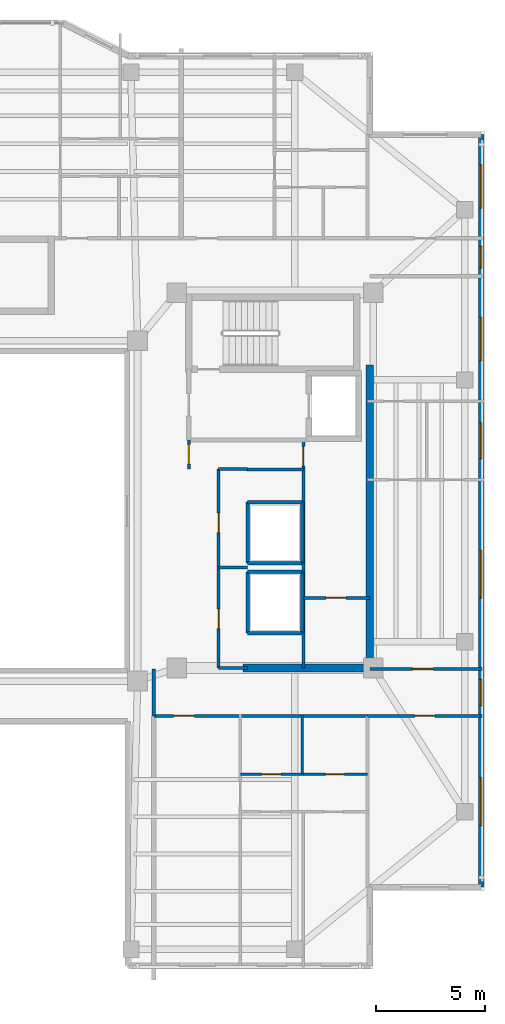
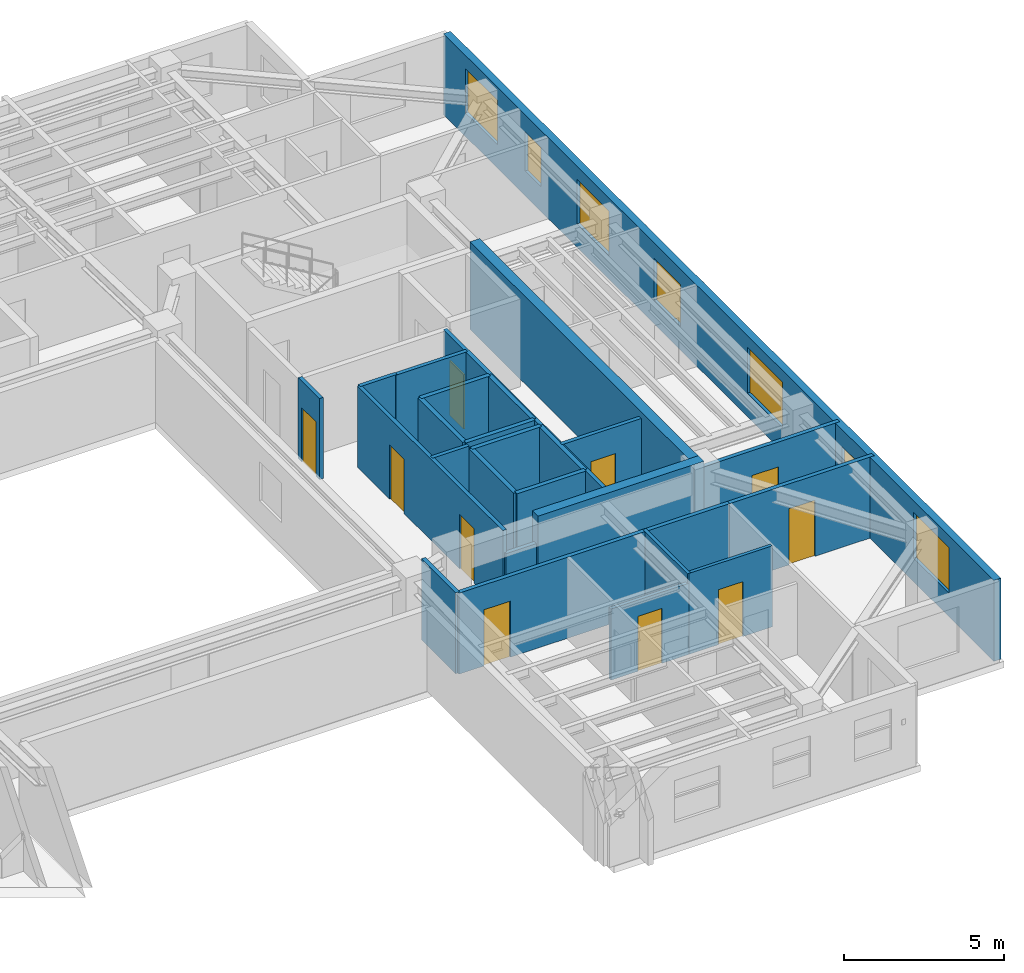
# One storey, part 6 of 12: 26 walls, 10 doors, 7 windows, 17 openings.
"""IFC4 building model written with IfcOpenShell, lengths in metres."""

from ifc_helpers import new_model, si_unit, direction, frame, frame_2d, origin, place, context, subcontext, project, spatial, rectangle, extrude, material, layer, layer_set, type_object, element, fill, save


model = new_model("IFC4")

# Units and contexts
model_context = context("Model", 3, precision=1e-05, world=origin(), true_north=direction((0.0, 1.0)))
body_context = subcontext(model_context, "Body", "Model", "MODEL_VIEW")
ifc_project = project(units=[si_unit("LENGTHUNIT", "METRE"), si_unit("AREAUNIT", "SQUARE_METRE"), si_unit("VOLUMEUNIT", "CUBIC_METRE"), si_unit("PLANEANGLEUNIT", "RADIAN"), si_unit("MASSUNIT", "GRAM", prefix="KILO")], contexts=[model_context])

# Site, building, storey
site_placement = place(None, origin())
site = spatial("IfcSite", under=ifc_project, at=site_placement, CompositionType="ELEMENT")
building_placement = place(site_placement, origin())
building = spatial("IfcBuilding", under=site, at=building_placement, Name="Tarnavaz Court Tower", CompositionType="ELEMENT")
storey_placement = place(building_placement, frame((0.0, 0.0, 203.64990234375)))
storey = spatial("IfcBuildingStorey", under=building, at=storey_placement, Name="L55", CompositionType="ELEMENT", Elevation=203.64990234375)

# Walls
ifc_material_1 = material(Name="Concrete C50/60", Category="concrete")
ifc_layer_1 = layer(ifc_material_1, 0.35009765625)
ifc_layer_set_1 = layer_set([ifc_layer_1], Name="Concrete C50/60")
wall_type_1 = type_object("IfcWallType", Name="WL-CORE-350-C50", PredefinedType="SHEAR", material=ifc_layer_set_1)
wall_1_placement = place(storey_placement, frame((18.449951171875, -7.375, 0.0), z_axis=(0.0, 0.0, 1.0), x_axis=(0.0, 1.0, 0.0)))
element("IfcWall", 1, at=wall_1_placement, inside=storey, type_object=wall_type_1, Name="L55 East Core Shear Wall 047", PredefinedType="SHEAR", context=body_context, shape_type="SweptSolid", body=[
    extrude(rectangle(XDim=14.050048828125, YDim=0.35009765625, at=frame_2d((7.02490234375, 0.0))), origin(), (0.0, 0.0, 1.0), 3.35009765625),
])
wall_2_placement = place(storey_placement, frame((12.625, -7.199951171875, 0.0), z_axis=(0.0, 0.0, 1.0), x_axis=(1.0, 0.0, 0.0)))
element("IfcWall", 2, at=wall_2_placement, inside=storey, type_object=wall_type_1, Name="L55 East Core South Shear Wall 048", PredefinedType="SHEAR", context=body_context, shape_type="SweptSolid", body=[
    extrude(rectangle(XDim=6.0, YDim=0.35009765625, at=frame_2d((3.0, 0.0))), origin(), (0.0, 0.0, 1.0), 3.35009765625),
])

# Wall, openings, windows
ifc_material_2 = material(Name="Precast Concrete C40/50", Category="concrete")
ifc_layer_2 = layer(ifc_material_2, 0.260009765625)
ifc_layer_set_2 = layer_set([ifc_layer_2], Name="Precast Concrete C40/50")
wall_type_2 = type_object("IfcWallType", Name="WL-EXT-260", PredefinedType="SOLIDWALL", material=ifc_layer_set_2)
wall_3_placement = place(storey_placement, frame((23.550048828125, 17.25, 0.0), z_axis=(0.0, 0.0, 1.0), x_axis=(0.0, -1.0, 0.0)))
wall_3 = element("IfcWall", 3, at=wall_3_placement, inside=storey, type_object=wall_type_2, Name="L55 Exterior Terracotta Facade Wall 12", PredefinedType="SOLIDWALL", context=body_context, shape_type="SweptSolid", body=[
    extrude(rectangle(XDim=34.5, YDim=0.260009765625, at=frame_2d((17.25, 0.0))), origin(), (0.0, 0.0, 1.0), 3.10009765625),
])
opening_1_placement = place(wall_3_placement, frame((1.375, 0.0, 0.89990234375)))
opening_1 = element("IfcOpeningElement", 4, at=opening_1_placement, cuts=wall_3, Name="Opening W08", PredefinedType="OPENING", context=body_context, shape_type="SweptSolid", body=[
    extrude(rectangle(XDim=2.0, YDim=1.699951171875, at=frame_2d((1.0, 0.85009765625))), frame((0.0, 0.139892578125, 0.0), z_axis=(0.0, -1.0, 0.0), x_axis=(1.0, 0.0, 0.0)), (0.0, 0.0, 1.0), 0.280029296875),
])
opening_2_placement = place(wall_3_placement, frame((5.125, 0.0, 0.949951171875)))
opening_2 = element("IfcOpeningElement", 5, at=opening_2_placement, cuts=wall_3, Name="Opening W14", PredefinedType="OPENING", context=body_context, shape_type="SweptSolid", body=[
    extrude(rectangle(XDim=1.0, YDim=1.5, at=frame_2d((0.5, 0.75))), frame((0.0, 0.139892578125, 0.0), z_axis=(0.0, -1.0, 0.0), x_axis=(1.0, 0.0, 0.0)), (0.0, 0.0, 1.0), 0.280029296875),
])
opening_3_placement = place(wall_3_placement, frame((8.375, 0.0, 0.89990234375)))
opening_3 = element("IfcOpeningElement", 6, at=opening_3_placement, cuts=wall_3, Name="Opening W08", PredefinedType="OPENING", context=body_context, shape_type="SweptSolid", body=[
    extrude(rectangle(XDim=2.0, YDim=1.699951171875, at=frame_2d((1.0, 0.85009765625))), frame((0.0, 0.139892578125, 0.0), z_axis=(0.0, -1.0, 0.0), x_axis=(1.0, 0.0, 0.0)), (0.0, 0.0, 1.0), 0.280029296875),
])
opening_4_placement = place(wall_3_placement, frame((13.199951171875, 0.0, 0.89990234375)))
opening_4 = element("IfcOpeningElement", 7, at=opening_4_placement, cuts=wall_3, Name="Opening W02", PredefinedType="OPENING", context=body_context, shape_type="SweptSolid", body=[
    extrude(rectangle(XDim=1.64990234375, YDim=1.60009765625, at=frame_2d((0.824951171875, 0.800048828125))), frame((0.0, 0.139892578125, 0.0), z_axis=(0.0, -1.0, 0.0), x_axis=(1.0, 0.0, 0.0)), (0.0, 0.0, 1.0), 0.280029296875),
])
opening_5_placement = place(wall_3_placement, frame((19.050048828125, 0.0, 0.89990234375)))
opening_5 = element("IfcOpeningElement", 8, at=opening_5_placement, cuts=wall_3, Name="Opening W07", PredefinedType="OPENING", context=body_context, shape_type="SweptSolid", body=[
    extrude(rectangle(XDim=2.199951171875, YDim=1.75, at=frame_2d((1.10009765625, 0.875))), frame((0.0, 0.139892578125, 0.0), z_axis=(0.0, -1.0, 0.0), x_axis=(1.0, 0.0, 0.0)), (0.0, 0.0, 1.0), 0.280029296875),
])
opening_6_placement = place(wall_3_placement, frame((24.97509765625, 0.0, 0.949951171875)))
opening_6 = element("IfcOpeningElement", 9, at=opening_6_placement, cuts=wall_3, Name="Opening W05", PredefinedType="OPENING", context=body_context, shape_type="SweptSolid", body=[
    extrude(rectangle(XDim=1.199951171875, YDim=1.5, at=frame_2d((0.60009765625, 0.75))), frame((0.0, 0.139892578125, 0.0), z_axis=(0.0, -1.0, 0.0), x_axis=(1.0, 0.0, 0.0)), (0.0, 0.0, 1.0), 0.280029296875),
])
opening_7_placement = place(wall_3_placement, frame((29.47509765625, 0.0, 0.89990234375)))
opening_7 = element("IfcOpeningElement", 10, at=opening_7_placement, cuts=wall_3, Name="Opening W07", PredefinedType="OPENING", context=body_context, shape_type="SweptSolid", body=[
    extrude(rectangle(XDim=2.199951171875, YDim=1.75, at=frame_2d((1.10009765625, 0.875))), frame((0.0, 0.139892578125, 0.0), z_axis=(0.0, -1.0, 0.0), x_axis=(1.0, 0.0, 0.0)), (0.0, 0.0, 1.0), 0.280029296875),
])
ifc_material_3 = material(Name="Double-Glazed Solar Low-E Glass", Category="glass")
window_type_1 = type_object("IfcWindowType", Name="WN-APT-1000", PartitioningType="SINGLE_PANEL", PredefinedType="WINDOW", material=ifc_material_3)
window_1_placement = place(opening_2_placement, origin())
window_1 = element("IfcWindow", 11, at=window_1_placement, inside=storey, type_object=window_type_1, Name="L55 North-East Corner Corridor Window", OverallHeight=1.5, OverallWidth=1.0, PartitioningType="SINGLE_PANEL", PredefinedType="WINDOW", context=body_context, shape_type="SweptSolid", body=[
    extrude(rectangle(XDim=1.0, YDim=1.5, at=frame_2d((0.5, 0.75))), frame((0.0, 0.030029296875, 0.0), z_axis=(0.0, -1.0, 0.0), x_axis=(1.0, 0.0, 0.0)), (0.0, 0.0, 1.0), 0.06005859375),
])
fill(opening_2, window_1)
window_type_2 = type_object("IfcWindowType", Name="WN-APT-1200", PartitioningType="SINGLE_PANEL", PredefinedType="WINDOW", material=ifc_material_3)
window_2_placement = place(opening_6_placement, origin())
window_2 = element("IfcWindow", 12, at=window_2_placement, inside=storey, type_object=window_type_2, Name="L55 South-East Corner Corridor Window", OverallHeight=1.5, OverallWidth=1.199951171875, PartitioningType="SINGLE_PANEL", PredefinedType="WINDOW", context=body_context, shape_type="SweptSolid", body=[
    extrude(rectangle(XDim=1.199951171875, YDim=1.5, at=frame_2d((0.60009765625, 0.75))), frame((0.0, 0.030029296875, 0.0), z_axis=(0.0, -1.0, 0.0), x_axis=(1.0, 0.0, 0.0)), (0.0, 0.0, 1.0), 0.06005859375),
])
fill(opening_6, window_2)
window_type_3 = type_object("IfcWindowType", Name="WN-APT-1650", PartitioningType="DOUBLE_PANEL_VERTICAL", PredefinedType="WINDOW", material=ifc_material_3)
window_3_placement = place(opening_4_placement, origin())
window_3 = element("IfcWindow", 13, at=window_3_placement, inside=storey, type_object=window_type_3, Name="L55 Flat 08 Bathroom Window", OverallHeight=1.60009765625, OverallWidth=1.64990234375, PartitioningType="SINGLE_PANEL", PredefinedType="WINDOW", context=body_context, shape_type="SweptSolid", body=[
    extrude(rectangle(XDim=1.64990234375, YDim=1.60009765625, at=frame_2d((0.824951171875, 0.800048828125))), frame((0.0, 0.030029296875, 0.0), z_axis=(0.0, -1.0, 0.0), x_axis=(1.0, 0.0, 0.0)), (0.0, 0.0, 1.0), 0.06005859375),
])
fill(opening_4, window_3)
window_type_4 = type_object("IfcWindowType", Name="WN-APT-2000", PartitioningType="DOUBLE_PANEL_VERTICAL", PredefinedType="WINDOW", material=ifc_material_3)
window_4_placement = place(opening_1_placement, origin())
window_4 = element("IfcWindow", 14, at=window_4_placement, inside=storey, type_object=window_type_4, Name="L55 North-East Corner Sunroom Study Window", OverallHeight=1.699951171875, OverallWidth=2.0, PartitioningType="SINGLE_PANEL", PredefinedType="WINDOW", context=body_context, shape_type="SweptSolid", body=[
    extrude(rectangle(XDim=2.0, YDim=1.699951171875, at=frame_2d((1.0, 0.85009765625))), frame((0.0, 0.030029296875, 0.0), z_axis=(0.0, -1.0, 0.0), x_axis=(1.0, 0.0, 0.0)), (0.0, 0.0, 1.0), 0.06005859375),
])
fill(opening_1, window_4)
window_5_placement = place(opening_3_placement, origin())
window_5 = element("IfcWindow", 15, at=window_5_placement, inside=storey, type_object=window_type_4, Name="L55 Flat 08 Study Room Window", OverallHeight=1.699951171875, OverallWidth=2.0, PartitioningType="SINGLE_PANEL", PredefinedType="WINDOW", context=body_context, shape_type="SweptSolid", body=[
    extrude(rectangle(XDim=2.0, YDim=1.699951171875, at=frame_2d((1.0, 0.85009765625))), frame((0.0, 0.030029296875, 0.0), z_axis=(0.0, -1.0, 0.0), x_axis=(1.0, 0.0, 0.0)), (0.0, 0.0, 1.0), 0.06005859375),
])
fill(opening_3, window_5)
window_type_5 = type_object("IfcWindowType", Name="WN-APT-2200", PartitioningType="TRIPLE_PANEL_VERTICAL", PredefinedType="WINDOW", material=ifc_material_3)
window_6_placement = place(opening_5_placement, origin())
window_6 = element("IfcWindow", 16, at=window_6_placement, inside=storey, type_object=window_type_5, Name="L55 Flat 08 Studio Living and Sleeping Room Window", OverallHeight=1.75, OverallWidth=2.199951171875, PartitioningType="SINGLE_PANEL", PredefinedType="WINDOW", context=body_context, shape_type="SweptSolid", body=[
    extrude(rectangle(XDim=2.199951171875, YDim=1.75, at=frame_2d((1.10009765625, 0.875))), frame((0.0, 0.030029296875, 0.0), z_axis=(0.0, -1.0, 0.0), x_axis=(1.0, 0.0, 0.0)), (0.0, 0.0, 1.0), 0.06005859375),
])
fill(opening_5, window_6)
window_7_placement = place(opening_7_placement, origin())
window_7 = element("IfcWindow", 17, at=window_7_placement, inside=storey, type_object=window_type_5, Name="L55 South-East Corner Reading Room Window", OverallHeight=1.75, OverallWidth=2.199951171875, PartitioningType="SINGLE_PANEL", PredefinedType="WINDOW", context=body_context, shape_type="SweptSolid", body=[
    extrude(rectangle(XDim=2.199951171875, YDim=1.75, at=frame_2d((1.10009765625, 0.875))), frame((0.0, 0.030029296875, 0.0), z_axis=(0.0, -1.0, 0.0), x_axis=(1.0, 0.0, 0.0)), (0.0, 0.0, 1.0), 0.06005859375),
])
fill(opening_7, window_7)

# Wall, opening, door
ifc_material_4 = material(Name="Gypsum Fire-Board on Acoustic Metal Stud", Category="masonry")
ifc_layer_3 = layer(ifc_material_4, 0.14990234375)
ifc_layer_set_3 = layer_set([ifc_layer_3], Name="Gypsum Fire-Board on Acoustic Metal Stud")
wall_type_3 = type_object("IfcWallType", Name="WL-FIRE-150", PredefinedType="PARTITIONING", material=ifc_layer_set_3)
wall_4_placement = place(storey_placement, frame((8.550048828125, -9.39990234375, 0.0), z_axis=(0.0, 0.0, 1.0), x_axis=(1.0, 0.0, 0.0)))
wall_4 = element("IfcWall", 18, at=wall_4_placement, inside=storey, type_object=wall_type_3, Name="L55 SE Lobby Wall 061", PredefinedType="PARTITIONING", context=body_context, shape_type="SweptSolid", body=[
    extrude(rectangle(XDim=9.800048828125, YDim=0.14990234375, at=frame_2d((4.89990234375, 0.0))), origin(), (0.0, 0.0, 1.0), 3.10009765625),
])
opening_8_placement = place(wall_4_placement, frame((0.89990234375, 0.0, 0.0)))
opening_8 = element("IfcOpeningElement", 19, at=opening_8_placement, cuts=wall_4, Name="Opening D06", PredefinedType="OPENING", context=body_context, shape_type="SweptSolid", body=[
    extrude(rectangle(XDim=0.9599609375, YDim=2.14990234375, at=frame_2d((0.47998046875, 1.074951171875))), frame((0.0, 0.0849609375, 0.0), z_axis=(0.0, -1.0, 0.0), x_axis=(1.0, 0.0, 0.0)), (0.0, 0.0, 1.0), 0.169921875),
])
ifc_material_5 = material(Name="Fire-Rated Hardwood Timber Core", Category="wood")
door_type_1 = type_object("IfcDoorType", Name="DR-FD60-950", OperationType="NOTDEFINED", PredefinedType="DOOR", material=ifc_material_5)
door_1_placement = place(opening_8_placement, origin())
door_1 = element("IfcDoor", 20, at=door_1_placement, inside=storey, type_object=door_type_1, Name="L55 Flat 06 Entrance Door", OperationType="SINGLE_SWING_RIGHT", OverallHeight=2.14990234375, OverallWidth=0.9599609375, PredefinedType="DOOR", context=body_context, shape_type="SweptSolid", body=[
    extrude(rectangle(XDim=0.9599609375, YDim=2.14990234375, at=frame_2d((0.47998046875, 1.074951171875))), frame((0.0, 0.02490234375, 0.0), z_axis=(0.0, -1.0, 0.0), x_axis=(1.0, 0.0, 0.0)), (0.0, 0.0, 1.0), 0.050048828125),
])
fill(opening_8, door_1)

# Wall
wall_5_placement = place(storey_placement, frame((8.550048828125, -9.39990234375, 0.0), z_axis=(0.0, 0.0, 1.0), x_axis=(0.0, 1.0, 0.0)))
element("IfcWall", 21, at=wall_5_placement, inside=storey, type_object=wall_type_3, Name="L55 East Spine End Wall 063", PredefinedType="PARTITIONING", context=body_context, shape_type="SweptSolid", body=[
    extrude(rectangle(XDim=2.14990234375, YDim=0.14990234375, at=frame_2d((1.074951171875, 0.0))), origin(), (0.0, 0.0, 1.0), 3.10009765625),
])

# Wall, opening, door
wall_6_placement = place(storey_placement, frame((18.449951171875, -7.25, 0.0), z_axis=(0.0, 0.0, 1.0), x_axis=(1.0, 0.0, 0.0)))
wall_6 = element("IfcWall", 22, at=wall_6_placement, inside=storey, type_object=wall_type_3, Name="L55 Interior Partition 105", PredefinedType="PARTITIONING", context=body_context, shape_type="SweptSolid", body=[
    extrude(rectangle(XDim=5.130126953125, YDim=0.14990234375, at=frame_2d((2.56494140625, 0.0))), origin(), (0.0, 0.0, 1.0), 3.10009765625),
])
opening_9_placement = place(wall_6_placement, frame((1.949951171875, 0.0, 0.0)))
opening_9 = element("IfcOpeningElement", 23, at=opening_9_placement, cuts=wall_6, Name="Opening D06", PredefinedType="OPENING", context=body_context, shape_type="SweptSolid", body=[
    extrude(rectangle(XDim=0.9599609375, YDim=2.14990234375, at=frame_2d((0.47998046875, 1.074951171875))), frame((0.0, 0.0849609375, 0.0), z_axis=(0.0, -1.0, 0.0), x_axis=(1.0, 0.0, 0.0)), (0.0, 0.0, 1.0), 0.169921875),
])
door_2_placement = place(opening_9_placement, origin())
door_2 = element("IfcDoor", 24, at=door_2_placement, inside=storey, type_object=door_type_1, Name="L55 Flat 08 Entrance Door", OperationType="SINGLE_SWING_RIGHT", OverallHeight=2.14990234375, OverallWidth=0.9599609375, PredefinedType="DOOR", context=body_context, shape_type="SweptSolid", body=[
    extrude(rectangle(XDim=0.9599609375, YDim=2.14990234375, at=frame_2d((0.47998046875, 1.074951171875))), frame((0.0, 0.02490234375, 0.0), z_axis=(0.0, -1.0, 0.0), x_axis=(1.0, 0.0, 0.0)), (0.0, 0.0, 1.0), 0.050048828125),
])
fill(opening_9, door_2)

wall_7_placement = place(storey_placement, frame((18.35009765625, -9.39990234375, 0.0), z_axis=(0.0, 0.0, 1.0), x_axis=(1.0, 0.0, 0.0)))
wall_7 = element("IfcWall", 25, at=wall_7_placement, inside=storey, type_object=wall_type_3, Name="L55 Interior Partition 114", PredefinedType="PARTITIONING", context=body_context, shape_type="SweptSolid", body=[
    extrude(rectangle(XDim=5.22998046875, YDim=0.14990234375, at=frame_2d((2.614990234375, 0.0))), origin(), (0.0, 0.0, 1.0), 3.10009765625),
])
opening_10_placement = place(wall_7_placement, frame((2.139892578125, 0.0, 0.0)))
opening_10 = element("IfcOpeningElement", 26, at=opening_10_placement, cuts=wall_7, Name="Opening D13", PredefinedType="OPENING", context=body_context, shape_type="SweptSolid", body=[
    extrude(rectangle(XDim=0.949951171875, YDim=2.14990234375, at=frame_2d((0.47509765625, 1.074951171875))), frame((0.0, 0.0849609375, 0.0), z_axis=(0.0, -1.0, 0.0), x_axis=(1.0, 0.0, 0.0)), (0.0, 0.0, 1.0), 0.169921875),
])
ifc_material_6 = material(Name="Engineered Oak Timber", Category="wood")
door_type_2 = type_object("IfcDoorType", Name="DR-INT-950", OperationType="NOTDEFINED", PredefinedType="DOOR", material=ifc_material_6)
door_3_placement = place(opening_10_placement, origin())
door_3 = element("IfcDoor", 27, at=door_3_placement, inside=storey, type_object=door_type_2, Name="L55 SE Reading Room Door", OperationType="SINGLE_SWING_LEFT", OverallHeight=2.14990234375, OverallWidth=0.949951171875, PredefinedType="DOOR", context=body_context, shape_type="SweptSolid", body=[
    extrude(rectangle(XDim=0.949951171875, YDim=2.14990234375, at=frame_2d((0.47509765625, 1.074951171875))), frame((0.0, 0.02490234375, 0.0), z_axis=(0.0, -1.0, 0.0), x_axis=(1.0, 0.0, 0.0)), (0.0, 0.0, 1.0), 0.050048828125),
])
fill(opening_10, door_3)

ifc_material_7 = material(Name="Moisture-Resistant Gypsum Board Partition", Category="masonry")
ifc_layer_4 = layer(ifc_material_7, 0.1201171875)
ifc_layer_set_4 = layer_set([ifc_layer_4], Name="Moisture-Resistant Gypsum Board Partition")
wall_type_4 = type_object("IfcWallType", Name="WL-PART-120", PredefinedType="PARTITIONING", material=ifc_layer_set_4)
wall_8_placement = place(storey_placement, frame((12.511962890625, -12.080078125, 0.0), z_axis=(0.0, 0.0, 1.0), x_axis=(1.0, 0.0, 0.0)))
wall_8 = element("IfcWall", 28, at=wall_8_placement, inside=storey, type_object=wall_type_4, Name="L55 Interior Partition 096", PredefinedType="PARTITIONING", context=body_context, shape_type="SweptSolid", body=[
    extrude(rectangle(XDim=2.8310546875, YDim=0.1201171875, at=frame_2d((1.41552734375, 0.0))), origin(), (0.0, 0.0, 1.0), 2.72509765625),
])
opening_11_placement = place(wall_8_placement, frame((0.97509765625, 0.0, 0.0)))
opening_11 = element("IfcOpeningElement", 29, at=opening_11_placement, cuts=wall_8, Name="Opening D14", PredefinedType="OPENING", context=body_context, shape_type="SweptSolid", body=[
    extrude(rectangle(XDim=0.8798828125, YDim=2.10009765625, at=frame_2d((0.43994140625, 1.050048828125))), frame((0.0, 0.070068359375, 0.0), z_axis=(0.0, -1.0, 0.0), x_axis=(1.0, 0.0, 0.0)), (0.0, 0.0, 1.0), 0.14013671875),
])
door_type_3 = type_object("IfcDoorType", Name="DR-INT-900", OperationType="NOTDEFINED", PredefinedType="DOOR", material=ifc_material_6)
door_4_placement = place(opening_11_placement, origin())
door_4 = element("IfcDoor", 30, at=door_4_placement, inside=storey, type_object=door_type_3, Name="L55 Flat 06 Kitchen Door", OperationType="SINGLE_SWING_RIGHT", OverallHeight=2.10009765625, OverallWidth=0.8798828125, PredefinedType="DOOR", context=body_context, shape_type="SweptSolid", body=[
    extrude(rectangle(XDim=0.8798828125, YDim=2.10009765625, at=frame_2d((0.43994140625, 1.050048828125))), frame((0.0, 0.02490234375, 0.0), z_axis=(0.0, -1.0, 0.0), x_axis=(1.0, 0.0, 0.0)), (0.0, 0.0, 1.0), 0.050048828125),
])
fill(opening_11, door_4)

wall_9_placement = place(storey_placement, frame((15.343017578125, -12.080078125, 0.0), z_axis=(0.0, 0.0, 1.0), x_axis=(1.0, 0.0, 0.0)))
wall_9 = element("IfcWall", 31, at=wall_9_placement, inside=storey, type_object=wall_type_4, Name="L55 Interior Partition 097", PredefinedType="PARTITIONING", context=body_context, shape_type="SweptSolid", body=[
    extrude(rectangle(XDim=3.007080078125, YDim=0.1201171875, at=frame_2d((1.50341796875, 0.0))), origin(), (0.0, 0.0, 1.0), 3.10009765625),
])
opening_12_placement = place(wall_9_placement, frame((1.06396484375, 0.0, 0.0)))
opening_12 = element("IfcOpeningElement", 32, at=opening_12_placement, cuts=wall_9, Name="Opening D14", PredefinedType="OPENING", context=body_context, shape_type="SweptSolid", body=[
    extrude(rectangle(XDim=0.8798828125, YDim=2.10009765625, at=frame_2d((0.43994140625, 1.050048828125))), frame((0.0, 0.070068359375, 0.0), z_axis=(0.0, -1.0, 0.0), x_axis=(1.0, 0.0, 0.0)), (0.0, 0.0, 1.0), 0.14013671875),
])
door_5_placement = place(opening_12_placement, origin())
door_5 = element("IfcDoor", 33, at=door_5_placement, inside=storey, type_object=door_type_3, Name="L55 Flat 06 Bathroom Door", OperationType="SINGLE_SWING_LEFT", OverallHeight=2.10009765625, OverallWidth=0.8798828125, PredefinedType="DOOR", context=body_context, shape_type="SweptSolid", body=[
    extrude(rectangle(XDim=0.8798828125, YDim=2.10009765625, at=frame_2d((0.43994140625, 1.050048828125))), frame((0.0, 0.02490234375, 0.0), z_axis=(0.0, -1.0, 0.0), x_axis=(1.0, 0.0, 0.0)), (0.0, 0.0, 1.0), 0.050048828125),
])
fill(opening_12, door_5)

# Walls
wall_10_placement = place(storey_placement, frame((15.343017578125, -12.139892578125, 0.0), z_axis=(0.0, 0.0, 1.0), x_axis=(0.0, 1.0, 0.0)))
element("IfcWall", 34, at=wall_10_placement, inside=storey, type_object=wall_type_4, Name="L55 Interior Partition 099", PredefinedType="PARTITIONING", context=body_context, shape_type="SweptSolid", body=[
    extrude(rectangle(XDim=2.7998046875, YDim=0.1201171875, at=frame_2d((1.39990234375, 0.0))), origin(), (0.0, 0.0, 1.0), 3.10009765625),
])
ifc_material_8 = material(Name="Gypsum Plasterboard Acoustic Partition", Category="masonry")
ifc_layer_5 = layer(ifc_material_8, 0.139892578125)
ifc_layer_set_5 = layer_set([ifc_layer_5], Name="Gypsum Plasterboard Acoustic Partition")
wall_type_5 = type_object("IfcWallType", Name="WL-PART-150", PredefinedType="PARTITIONING", material=ifc_layer_set_5)
wall_11_placement = place(storey_placement, frame((12.800048828125, 1.89990234375, 0.0), z_axis=(0.0, 0.0, 1.0), x_axis=(1.0, 0.0, 0.0)))
element("IfcWall", 35, at=wall_11_placement, inside=storey, type_object=wall_type_5, Name="L55 Interior Partition 050", PredefinedType="PARTITIONING", context=body_context, shape_type="SweptSolid", body=[
    extrude(rectangle(XDim=2.599853515625, YDim=0.139892578125, at=frame_2d((1.2998046875, 0.0))), origin(), (0.0, 0.0, 1.0), 3.10009765625),
])

# Wall, opening, door
wall_12_placement = place(storey_placement, frame((10.14990234375, 1.919921875, 0.0), z_axis=(0.0, 0.0, 1.0), x_axis=(0.0, 1.0, 0.0)))
wall_12 = element("IfcWall", 36, at=wall_12_placement, inside=storey, type_object=wall_type_5, Name="L55 Interior Partition 051", PredefinedType="PARTITIONING", context=body_context, shape_type="SweptSolid", body=[
    extrude(rectangle(XDim=1.330078125, YDim=0.139892578125, at=frame_2d((0.6650390625, 0.0))), origin(), (0.0, 0.0, 1.0), 3.10009765625),
])
opening_13_placement = place(wall_12_placement, frame((0.219970703125, 0.0, 0.0)))
opening_13 = element("IfcOpeningElement", 37, at=opening_13_placement, cuts=wall_12, Name="Opening D09", PredefinedType="OPENING", context=body_context, shape_type="SweptSolid", body=[
    extrude(rectangle(XDim=0.89990234375, YDim=2.080078125, at=frame_2d((0.449951171875, 1.0400390625))), frame((0.0, 0.079833984375, 0.0), z_axis=(0.0, -1.0, 0.0), x_axis=(1.0, 0.0, 0.0)), (0.0, 0.0, 1.0), 0.159912109375),
])
door_type_4 = type_object("IfcDoorType", Name="DR-FD30-900", OperationType="NOTDEFINED", PredefinedType="DOOR", material=ifc_material_5)
door_6_placement = place(opening_13_placement, origin())
door_6 = element("IfcDoor", 38, at=door_6_placement, inside=storey, type_object=door_type_4, Name="L55 East Core Service Lobby Door", OperationType="SINGLE_SWING_LEFT", OverallHeight=2.080078125, OverallWidth=0.89990234375, PredefinedType="DOOR", context=body_context, shape_type="SweptSolid", body=[
    extrude(rectangle(XDim=0.89990234375, YDim=2.080078125, at=frame_2d((0.449951171875, 1.0400390625))), frame((0.0, 0.02490234375, 0.0), z_axis=(0.0, -1.0, 0.0), x_axis=(1.0, 0.0, 0.0)), (0.0, 0.0, 1.0), 0.050048828125),
])
fill(opening_13, door_6)

wall_13_placement = place(storey_placement, frame((15.39990234375, -7.199951171875, 0.0), z_axis=(0.0, 0.0, 1.0), x_axis=(0.0, 1.0, 0.0)))
wall_13 = element("IfcWall", 39, at=wall_13_placement, inside=storey, type_object=wall_type_5, Name="L55 Interior Partition 052", PredefinedType="PARTITIONING", context=body_context, shape_type="SweptSolid", body=[
    extrude(rectangle(XDim=10.449951171875, YDim=0.139892578125, at=frame_2d((5.22509765625, 0.0))), origin(), (0.0, 0.0, 1.0), 3.10009765625),
])
opening_14_placement = place(wall_13_placement, frame((9.25, 0.0, 0.0)))
opening_14 = element("IfcOpeningElement", 40, at=opening_14_placement, cuts=wall_13, Name="Opening D09", PredefinedType="OPENING", context=body_context, shape_type="SweptSolid", body=[
    extrude(rectangle(XDim=0.89990234375, YDim=2.080078125, at=frame_2d((0.449951171875, 1.0400390625))), frame((0.0, 0.079833984375, 0.0), z_axis=(0.0, -1.0, 0.0), x_axis=(1.0, 0.0, 0.0)), (0.0, 0.0, 1.0), 0.159912109375),
])
door_7_placement = place(opening_14_placement, origin())
door_7 = element("IfcDoor", 41, at=door_7_placement, inside=storey, type_object=door_type_4, Name="L55 East Wet Riser Door", OperationType="SINGLE_SWING_RIGHT", OverallHeight=2.080078125, OverallWidth=0.89990234375, PredefinedType="DOOR", context=body_context, shape_type="SweptSolid", body=[
    extrude(rectangle(XDim=0.89990234375, YDim=2.080078125, at=frame_2d((0.449951171875, 1.0400390625))), frame((0.0, 0.02490234375, 0.0), z_axis=(0.0, -1.0, 0.0), x_axis=(1.0, 0.0, 0.0)), (0.0, 0.0, 1.0), 0.050048828125),
])
fill(opening_14, door_7)

wall_14_placement = place(storey_placement, frame((15.39990234375, -3.989990234375, 0.0), z_axis=(0.0, 0.0, 1.0), x_axis=(1.0, 0.0, 0.0)))
wall_14 = element("IfcWall", 42, at=wall_14_placement, inside=storey, type_object=wall_type_5, Name="L55 Interior Partition 053", PredefinedType="PARTITIONING", context=body_context, shape_type="SweptSolid", body=[
    extrude(rectangle(XDim=3.050048828125, YDim=0.139892578125, at=frame_2d((1.52490234375, 0.0))), origin(), (0.0, 0.0, 1.0), 3.10009765625),
])
opening_15_placement = place(wall_14_placement, frame((1.050048828125, 0.0, 0.0)))
opening_15 = element("IfcOpeningElement", 43, at=opening_15_placement, cuts=wall_14, Name="Opening D09", PredefinedType="OPENING", context=body_context, shape_type="SweptSolid", body=[
    extrude(rectangle(XDim=0.89990234375, YDim=2.080078125, at=frame_2d((0.449951171875, 1.0400390625))), frame((0.0, 0.079833984375, 0.0), z_axis=(0.0, -1.0, 0.0), x_axis=(1.0, 0.0, 0.0)), (0.0, 0.0, 1.0), 0.159912109375),
])
door_8_placement = place(opening_15_placement, origin())
door_8 = element("IfcDoor", 44, at=door_8_placement, inside=storey, type_object=door_type_4, Name="L55 East Electrical Plant Door", OperationType="SINGLE_SWING_LEFT", OverallHeight=2.080078125, OverallWidth=0.89990234375, PredefinedType="DOOR", context=body_context, shape_type="SweptSolid", body=[
    extrude(rectangle(XDim=0.89990234375, YDim=2.080078125, at=frame_2d((0.449951171875, 1.0400390625))), frame((0.0, 0.02490234375, 0.0), z_axis=(0.0, -1.0, 0.0), x_axis=(1.0, 0.0, 0.0)), (0.0, 0.0, 1.0), 0.050048828125),
])
fill(opening_15, door_8)

# Wall, openings, doors
wall_15_placement = place(storey_placement, frame((11.52001953125, -7.199951171875, 0.0), z_axis=(0.0, 0.0, 1.0), x_axis=(0.0, 1.0, 0.0)))
wall_15 = element("IfcWall", 45, at=wall_15_placement, inside=storey, type_object=wall_type_5, Name="L55 Interior Partition 054", PredefinedType="PARTITIONING", context=body_context, shape_type="SweptSolid", body=[
    extrude(rectangle(XDim=9.119873046875, YDim=0.139892578125, at=frame_2d((4.56005859375, 0.0))), origin(), (0.0, 0.0, 1.0), 3.10009765625),
])
opening_16_placement = place(wall_15_placement, frame((1.800048828125, 0.0, 0.0)))
opening_16 = element("IfcOpeningElement", 46, at=opening_16_placement, cuts=wall_15, Name="Opening D09", PredefinedType="OPENING", context=body_context, shape_type="SweptSolid", body=[
    extrude(rectangle(XDim=0.89990234375, YDim=2.080078125, at=frame_2d((0.449951171875, 1.0400390625))), frame((0.0, 0.079833984375, 0.0), z_axis=(0.0, -1.0, 0.0), x_axis=(1.0, 0.0, 0.0)), (0.0, 0.0, 1.0), 0.159912109375),
])
opening_17_placement = place(wall_15_placement, frame((6.199951171875, 0.0, 0.0)))
opening_17 = element("IfcOpeningElement", 47, at=opening_17_placement, cuts=wall_15, Name="Opening D09", PredefinedType="OPENING", context=body_context, shape_type="SweptSolid", body=[
    extrude(rectangle(XDim=0.89990234375, YDim=2.080078125, at=frame_2d((0.449951171875, 1.0400390625))), frame((0.0, 0.079833984375, 0.0), z_axis=(0.0, -1.0, 0.0), x_axis=(1.0, 0.0, 0.0)), (0.0, 0.0, 1.0), 0.159912109375),
])
door_9_placement = place(opening_16_placement, origin())
door_9 = element("IfcDoor", 48, at=door_9_placement, inside=storey, type_object=door_type_4, Name="L55 East Sky Housekeeping Door", OperationType="SINGLE_SWING_RIGHT", OverallHeight=2.080078125, OverallWidth=0.89990234375, PredefinedType="DOOR", context=body_context, shape_type="SweptSolid", body=[
    extrude(rectangle(XDim=0.89990234375, YDim=2.080078125, at=frame_2d((0.449951171875, 1.0400390625))), frame((0.0, 0.02490234375, 0.0), z_axis=(0.0, -1.0, 0.0), x_axis=(1.0, 0.0, 0.0)), (0.0, 0.0, 1.0), 0.050048828125),
])
fill(opening_16, door_9)
door_10_placement = place(opening_17_placement, origin())
door_10 = element("IfcDoor", 49, at=door_10_placement, inside=storey, type_object=door_type_4, Name="L55 East Sky Meter Room Door", OperationType="SINGLE_SWING_LEFT", OverallHeight=2.080078125, OverallWidth=0.89990234375, PredefinedType="DOOR", context=body_context, shape_type="SweptSolid", body=[
    extrude(rectangle(XDim=0.89990234375, YDim=2.080078125, at=frame_2d((0.449951171875, 1.0400390625))), frame((0.0, 0.02490234375, 0.0), z_axis=(0.0, -1.0, 0.0), x_axis=(1.0, 0.0, 0.0)), (0.0, 0.0, 1.0), 0.050048828125),
])
fill(opening_17, door_10)

# Walls
wall_16_placement = place(storey_placement, frame((11.52001953125, 1.919921875, 0.0), z_axis=(0.0, 0.0, 1.0), x_axis=(1.0, 0.0, 0.0)))
element("IfcWall", 50, at=wall_16_placement, inside=storey, type_object=wall_type_5, Name="L55 Interior Partition 055", PredefinedType="PARTITIONING", context=body_context, shape_type="SweptSolid", body=[
    extrude(rectangle(XDim=1.330078125, YDim=0.139892578125, at=frame_2d((0.6650390625, 0.0))), origin(), (0.0, 0.0, 1.0), 3.10009765625),
])
wall_17_placement = place(storey_placement, frame((11.52001953125, -7.199951171875, 0.0), z_axis=(0.0, 0.0, 1.0), x_axis=(1.0, 0.0, 0.0)))
element("IfcWall", 51, at=wall_17_placement, inside=storey, type_object=wall_type_5, Name="L55 Interior Partition 056", PredefinedType="PARTITIONING", context=body_context, shape_type="SweptSolid", body=[
    extrude(rectangle(XDim=1.330078125, YDim=0.139892578125, at=frame_2d((0.6650390625, 0.0))), origin(), (0.0, 0.0, 1.0), 2.235107421875),
])
wall_18_placement = place(storey_placement, frame((11.52001953125, -2.60009765625, 0.0), z_axis=(0.0, 0.0, 1.0), x_axis=(1.0, 0.0, 0.0)))
element("IfcWall", 52, at=wall_18_placement, inside=storey, type_object=wall_type_5, Name="L55 Interior Partition 057", PredefinedType="PARTITIONING", context=body_context, shape_type="SweptSolid", body=[
    extrude(rectangle(XDim=1.330078125, YDim=0.139892578125, at=frame_2d((0.6650390625, 0.0))), origin(), (0.0, 0.0, 1.0), 3.10009765625),
])
ifc_material_9 = material(Name="Autoclaved Aerated Concrete Blockwork", Category="masonry")
ifc_layer_6 = layer(ifc_material_9, 0.159912109375)
ifc_layer_set_6 = layer_set([ifc_layer_6], Name="Autoclaved Aerated Concrete Blockwork")
wall_type_6 = type_object("IfcWallType", Name="WL-SHAFT-150", PredefinedType="SOLIDWALL", material=ifc_layer_set_6)
for number, where, z_axis, x_axis, name in (
    (53, (12.85009765625, -5.60009765625, 0.0), (0.0, 0.0, 1.0), (0.0, 1.0, 0.0), "L55 Lift PL-OB1 Shaft Wall 037"),
    (54, (15.35009765625, -5.60009765625, 0.0), (0.0, 0.0, 1.0), (0.0, 1.0, 0.0), "L55 Lift PL-OB1 Shaft Wall 038"),
):
    element("IfcWall", number, at=place(storey_placement, frame(where, z_axis=z_axis, x_axis=x_axis)), inside=storey, type_object=wall_type_6, Name=name, PredefinedType="SOLIDWALL", context=body_context, shape_type="SweptSolid", body=[
        extrude(rectangle(XDim=2.800048828125, YDim=0.159912109375, at=frame_2d((1.39990234375, 0.0))), origin(), (0.0, 0.0, 1.0), 3.10009765625),
    ])
for number, where, z_axis, x_axis, name in (
    (55, (12.85009765625, -5.60009765625, 0.0), (0.0, 0.0, 1.0), (1.0, 0.0, 0.0), "L55 Lift PL-OB1 Shaft Wall 039"),
    (56, (12.85009765625, -2.800048828125, 0.0), (0.0, 0.0, 1.0), (1.0, 0.0, 0.0), "L55 Lift PL-OB1 Shaft Wall 040"),
):
    element("IfcWall", number, at=place(storey_placement, frame(where, z_axis=z_axis, x_axis=x_axis)), inside=storey, type_object=wall_type_6, Name=name, PredefinedType="SOLIDWALL", context=body_context, shape_type="SweptSolid", body=[
        extrude(rectangle(XDim=2.5, YDim=0.159912109375, at=frame_2d((1.25, 0.0))), origin(), (0.0, 0.0, 1.0), 3.10009765625),
    ])
for number, where, z_axis, x_axis, name in (
    (57, (12.85009765625, -2.39990234375, 0.0), (0.0, 0.0, 1.0), (0.0, 1.0, 0.0), "L55 Lift PL-OB2 Shaft Wall 041"),
    (58, (15.35009765625, -2.39990234375, 0.0), (0.0, 0.0, 1.0), (0.0, 1.0, 0.0), "L55 Lift PL-OB2 Shaft Wall 042"),
):
    element("IfcWall", number, at=place(storey_placement, frame(where, z_axis=z_axis, x_axis=x_axis)), inside=storey, type_object=wall_type_6, Name=name, PredefinedType="SOLIDWALL", context=body_context, shape_type="SweptSolid", body=[
        extrude(rectangle(XDim=2.7998046875, YDim=0.159912109375, at=frame_2d((1.39990234375, 0.0))), origin(), (0.0, 0.0, 1.0), 3.10009765625),
    ])
for number, where, z_axis, x_axis, name in (
    (59, (12.85009765625, -2.39990234375, 0.0), (0.0, 0.0, 1.0), (1.0, 0.0, 0.0), "L55 Lift PL-OB2 Shaft Wall 043"),
    (60, (12.85009765625, 0.39990234375, 0.0), (0.0, 0.0, 1.0), (1.0, 0.0, 0.0), "L55 Lift PL-OB2 Shaft Wall 044"),
):
    element("IfcWall", number, at=place(storey_placement, frame(where, z_axis=z_axis, x_axis=x_axis)), inside=storey, type_object=wall_type_6, Name=name, PredefinedType="SOLIDWALL", context=body_context, shape_type="SweptSolid", body=[
        extrude(rectangle(XDim=2.5, YDim=0.159912109375, at=frame_2d((1.25, 0.0))), origin(), (0.0, 0.0, 1.0), 3.10009765625),
    ])

save(model, "model.ifc")
